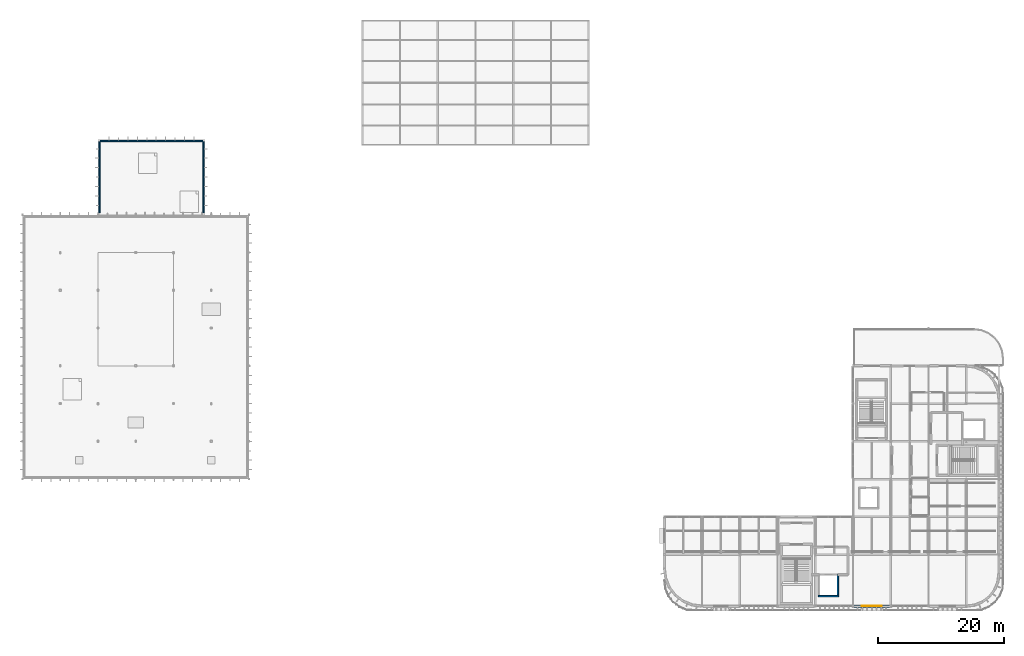
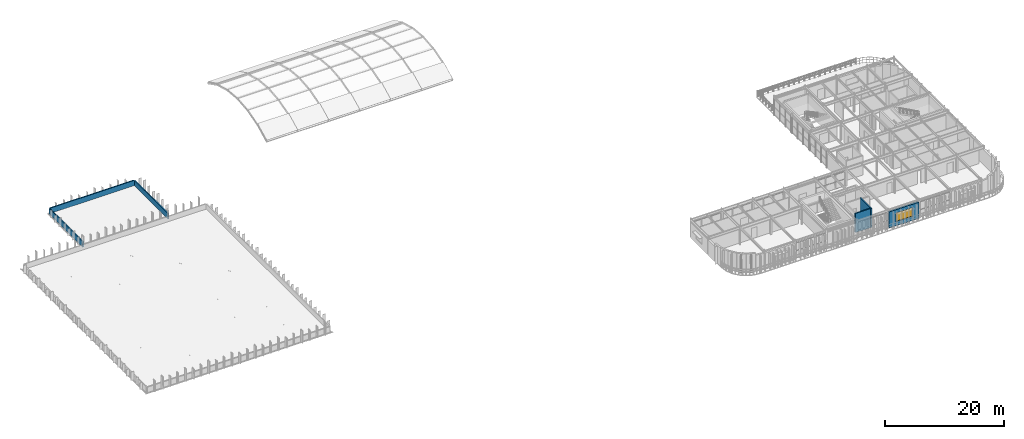
# One storey, part 17 of 27: 6 walls, 1 window, 1 opening.
"""IFC4 building model written with IfcOpenShell, lengths in metres."""

from ifc_helpers import new_model, si_unit, direction, frame, frame_2d, origin, place, context, subcontext, project, spatial, rectangle, extrude, material, layer, layer_set, type_object, element, fill, save


model = new_model("IFC4")

# Units and contexts
model_context = context("Model", 3, precision=1e-05, world=origin(), true_north=direction((0.0, 1.0)))
body_context = subcontext(model_context, "Body", "Model", "MODEL_VIEW")
ifc_project = project(units=[si_unit("LENGTHUNIT", "METRE"), si_unit("AREAUNIT", "SQUARE_METRE"), si_unit("VOLUMEUNIT", "CUBIC_METRE"), si_unit("PLANEANGLEUNIT", "RADIAN"), si_unit("MASSUNIT", "GRAM", prefix="KILO")], contexts=[model_context])

# Site, building, storey
site_placement = place(None, origin())
site = spatial("IfcSite", under=ifc_project, at=site_placement, CompositionType="ELEMENT")
building_placement = place(site_placement, origin())
building = spatial("IfcBuilding", under=site, at=building_placement, Name="Varnakota Square Police Headquarters", CompositionType="ELEMENT")
storey_placement = place(building_placement, frame((0.0, 0.0, 26.10009765625)))
storey = spatial("IfcBuildingStorey", under=building, at=storey_placement, Name="L06", CompositionType="ELEMENT", Elevation=26.10009765625)

# Walls
ifc_material_1 = material(Name="Concrete M40", Category="concrete")
ifc_layer_1 = layer(ifc_material_1, 0.22998046875, Name="Concrete M40")
ifc_layer_set_1 = layer_set([ifc_layer_1], Name="Concrete M40")
wall_type_1 = type_object("IfcWallType", Name="WL-CORE-230", PredefinedType="SHEAR", material=ifc_layer_set_1)
wall_1_placement = place(storey_placement, frame((132.485107421875, 2.39990234375, 0.0), z_axis=(0.0, 0.0, 1.0), x_axis=(1.0, 0.0, 0.0)))
element("IfcWall", 1, at=wall_1_placement, inside=storey, type_object=wall_type_1, Name="Lift shaft wall LF-FF1 L06 S", PredefinedType="SHEAR", context=body_context, shape_type="SweptSolid", body=[
    extrude(rectangle(XDim=3.22998046875, YDim=0.22998046875, at=frame_2d((1.614990234375, 0.0))), origin(), (0.0, 0.0, 1.0), 3.89990234375),
])
wall_2_placement = place(storey_placement, frame((135.60009765625, 2.284912109375, 0.0), z_axis=(0.0, 0.0, 1.0), x_axis=(0.0, 1.0, 0.0)))
element("IfcWall", 2, at=wall_2_placement, inside=storey, type_object=wall_type_1, Name="Lift shaft wall LF-FF1 L06 E", PredefinedType="SHEAR", context=body_context, shape_type="SweptSolid", body=[
    extrude(rectangle(XDim=3.630126953125, YDim=0.22998046875, at=frame_2d((1.81494140625, 0.0))), origin(), (0.0, 0.0, 1.0), 3.89990234375),
])

# Wall, opening, window
ifc_layer_2 = layer(ifc_material_1, 0.360107421875, Name="Concrete M40")
ifc_layer_set_2 = layer_set([ifc_layer_2], Name="Concrete M40")
wall_type_2 = type_object("IfcWallType", Name="WL-EXT-360", PredefinedType="SOLIDWALL", material=ifc_layer_set_2)
wall_3_placement = place(storey_placement, frame((138.10400390625, 0.800048828125, 0.0), z_axis=(0.0, 0.0, 1.0), x_axis=(1.0, 0.0, 0.0)))
wall_3 = element("IfcWall", 3, at=wall_3_placement, inside=storey, type_object=wall_type_2, Name="Exterior wall EW-L06-0318", PredefinedType="SOLIDWALL", context=body_context, shape_type="SweptSolid", body=[
    extrude(rectangle(XDim=5.76708984375, YDim=0.360107421875, at=frame_2d((2.883544921875, 0.0))), origin(), (0.0, 0.0, 1.0), 3.27978515625),
])
opening_placement = place(wall_3_placement, frame((1.283447265625, 0.0, 0.800048828125)))
opening = element("IfcOpeningElement", 4, at=opening_placement, cuts=wall_3, Name="Opening W15", PredefinedType="OPENING", context=body_context, shape_type="SweptSolid", body=[
    extrude(rectangle(XDim=3.199951171875, YDim=1.800048828125, at=frame_2d((1.60009765625, 0.89990234375))), frame((0.0, 0.18994140625, 0.0), z_axis=(0.0, -1.0, 0.0), x_axis=(1.0, 0.0, 0.0)), (0.0, 0.0, 1.0), 0.380126953125),
])
ifc_material_2 = material(Name="Thermally Broken Aluminium Double-Glazed Window", Category="aluminium")
window_type = type_object("IfcWindowType", Name="WIN-15", PartitioningType="SINGLE_PANEL", PredefinedType="WINDOW", material=ifc_material_2)
window_placement = place(opening_placement, origin())
window = element("IfcWindow", 5, at=window_placement, inside=storey, type_object=window_type, Name="Window WN-L06-0055", OverallHeight=1.800048828125, OverallWidth=3.199951171875, PartitioningType="SINGLE_PANEL", PredefinedType="WINDOW", context=body_context, shape_type="SweptSolid", body=[
    extrude(rectangle(XDim=3.199951171875, YDim=1.800048828125, at=frame_2d((1.60009765625, 0.89990234375))), frame((0.0, 0.030029296875, 0.0), z_axis=(0.0, -1.0, 0.0), x_axis=(1.0, 0.0, 0.0)), (0.0, 0.0, 1.0), 0.06005859375),
])
fill(opening, window)

# Walls
ifc_material_3 = material(Name="Precast concrete M40", Category="concrete")
ifc_layer_3 = layer(ifc_material_3, 0.2099609375, Name="Precast concrete M40")
ifc_layer_set_3 = layer_set([ifc_layer_3], Name="Precast concrete M40")
wall_type_3 = type_object("IfcWallType", Name="WL-PAR-210", PredefinedType="PARAPET", material=ifc_layer_set_3)
wall_4_placement = place(storey_placement, frame((34.75, 63.35498046875, 0.0), z_axis=(0.0, 0.0, 1.0), x_axis=(0.0, 1.0, 0.0)))
element("IfcWall", 6, at=wall_4_placement, inside=storey, type_object=wall_type_3, Name="Roof parapet wall PAR-L06-023", PredefinedType="PARAPET", context=body_context, shape_type="SweptSolid", body=[
    extrude(rectangle(XDim=11.2900390625, YDim=0.2099609375, at=frame_2d((5.64501953125, 0.0))), origin(), (0.0, 0.0, 1.0), 1.099853515625),
])
wall_5_placement = place(storey_placement, frame((34.64501953125, 74.75, 0.0), z_axis=(0.0, 0.0, 1.0), x_axis=(-1.0, 0.0, 0.0)))
element("IfcWall", 7, at=wall_5_placement, inside=storey, type_object=wall_type_3, Name="Roof parapet wall PAR-L06-024", PredefinedType="PARAPET", context=body_context, shape_type="SweptSolid", body=[
    extrude(rectangle(XDim=16.2900390625, YDim=0.2099609375, at=frame_2d((8.14501953125, 0.0))), origin(), (0.0, 0.0, 1.0), 1.099853515625),
])
wall_6_placement = place(storey_placement, frame((18.25, 74.64501953125, 0.0), z_axis=(0.0, 0.0, 1.0), x_axis=(0.0, -1.0, 0.0)))
element("IfcWall", 8, at=wall_6_placement, inside=storey, type_object=wall_type_3, Name="Roof parapet wall PAR-L06-025", PredefinedType="PARAPET", context=body_context, shape_type="SweptSolid", body=[
    extrude(rectangle(XDim=11.2900390625, YDim=0.2099609375, at=frame_2d((5.64501953125, 0.0))), origin(), (0.0, 0.0, 1.0), 1.099853515625),
])

save(model, "model.ifc")
